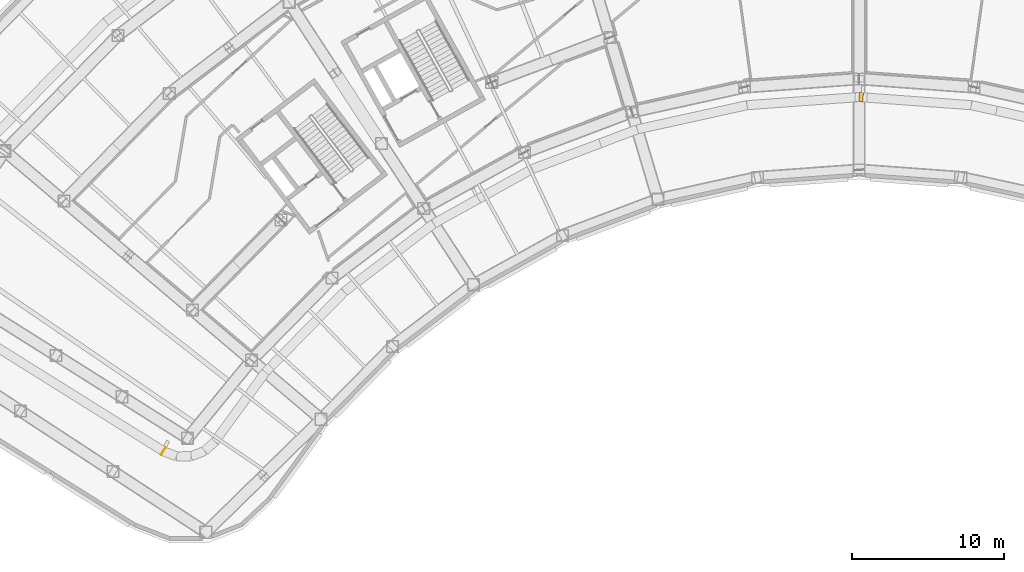
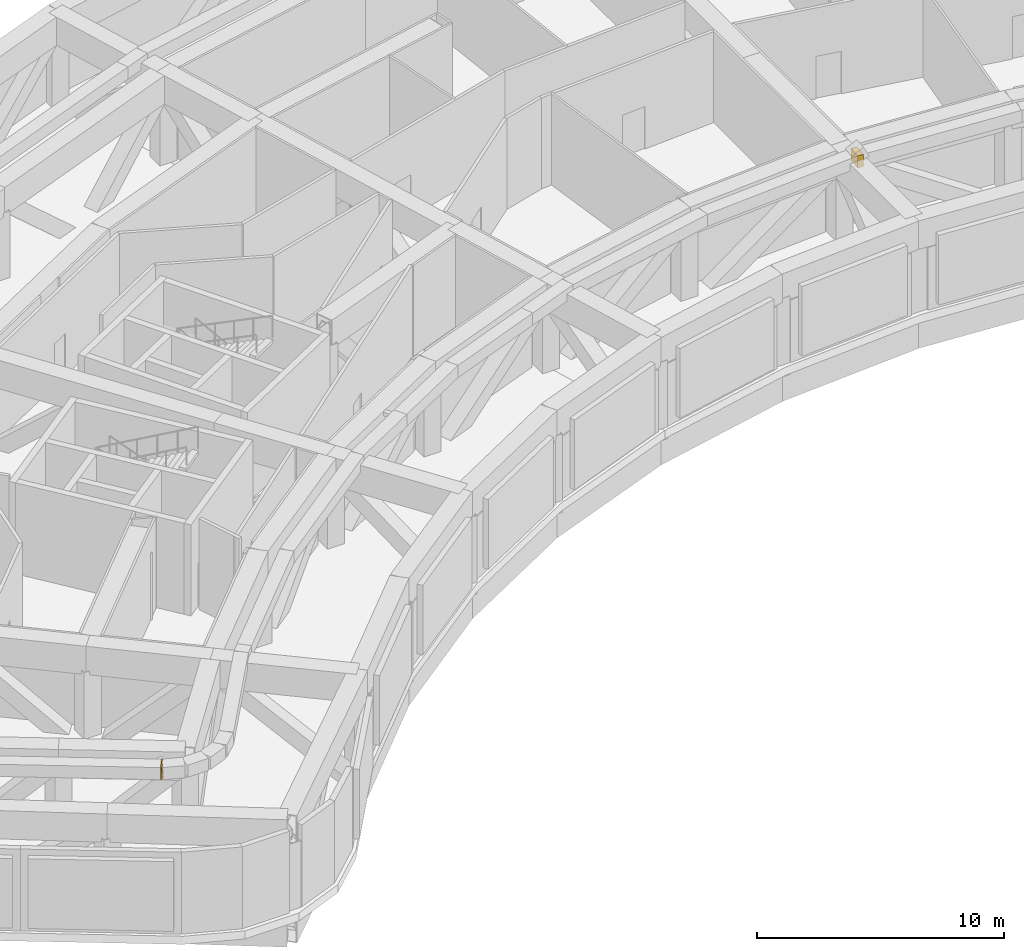
# One storey, part 30 of 30: 2 coverings.
"""IFC4 building model written with IfcOpenShell, lengths in metres."""

import ifcopenshell
import ifcopenshell.guid

model = None  # the IFC model being written
_history = None  # IfcOwnerHistory: only IFC2X3 demands one
_inside = {}  # id of a spatial element -> (the spatial element, [elements in it])
_under = {}  # id of a project, library or spatial element -> (it, [spatial elements below it])
_declared = {}  # id of a project -> (the project, [libraries it declares])
_typed = {}  # id of a type object -> (the type object, [elements of that type])
_made_of = {}  # id of a material, layer set ... -> (it, [elements and type objects made of it])


def new_model(schema):
    """Start an empty IFC model of exactly this schema.

    Asked for "IFC4X3", IfcOpenShell would pick the latest addendum, in which some entities
    have other attributes; the version numbers below select the first issue.
    IFC2X3 requires an IfcOwnerHistory on every rooted entity: one is made here for all.
    """
    global model, _history
    if schema == "IFC4X3":
        model = ifcopenshell.file(schema_version=(4, 3, 0, 0))
    else:
        model = ifcopenshell.file(schema=schema)
    _inside.clear()
    _under.clear()
    _declared.clear()
    _typed.clear()
    _made_of.clear()
    _history = None
    if model.schema == "IFC2X3":
        org = make("IfcOrganization", Name="unknown")
        user = make(
            "IfcPersonAndOrganization",
            ThePerson=make("IfcPerson", FamilyName="unknown"),
            TheOrganization=org,
        )
        app = make(
            "IfcApplication",
            ApplicationDeveloper=org,
            Version="unknown",
            ApplicationFullName="unknown",
            ApplicationIdentifier="unknown",
        )
        _history = make(
            "IfcOwnerHistory",
            OwningUser=user,
            OwningApplication=app,
            ChangeAction="ADDED",
            CreationDate=0,
        )
    return model


def make(cls, **values):
    """One entity of the class cls with the attributes given. An attribute that is None is left unset."""
    return model.create_entity(
        cls, **{name: value for name, value in values.items() if value is not None}
    )


def rooted(cls, **values):
    """An entity with a GlobalId (a new one), such as an element, a storey or a relation."""
    return make(cls, GlobalId=ifcopenshell.guid.new(), OwnerHistory=_history, **values)


def si_unit(unit_type, name, prefix=None):
    """IfcSIUnit, for example si_unit("LENGTHUNIT", "METRE", prefix="MILLI")."""
    return make("IfcSIUnit", UnitType=unit_type, Prefix=prefix, Name=name)


def assignment(units):
    """IfcUnitAssignment: the units of a project."""
    return None if units is None else make("IfcUnitAssignment", Units=units)


def point(xyz):
    """IfcCartesianPoint."""
    return None if xyz is None else make("IfcCartesianPoint", Coordinates=xyz)


def direction(xyz):
    """IfcDirection."""
    return None if xyz is None else make("IfcDirection", DirectionRatios=xyz)


def frame(location, z_axis=None, x_axis=None):
    """IfcAxis2Placement3D, a coordinate frame: its origin and axes. An axis left out is left unset."""
    return make(
        "IfcAxis2Placement3D",
        Location=point(location),
        Axis=direction(z_axis),
        RefDirection=direction(x_axis),
    )


def frame_2d(location, x_axis=None):
    """IfcAxis2Placement2D, a coordinate frame in the plane: its origin and x axis."""
    return make(
        "IfcAxis2Placement2D", Location=point(location), RefDirection=direction(x_axis)
    )


def origin():
    """The frame at (0, 0, 0) with its axes left unset."""
    return frame((0.0, 0.0, 0.0))


def origin_2d():
    """The frame at (0, 0) in the plane with its x axis left unset."""
    return frame_2d((0.0, 0.0))


def place(relative_to, where):
    """IfcLocalPlacement: puts the frame where relative to a parent placement (None: the world)."""
    return make(
        "IfcLocalPlacement", PlacementRelTo=relative_to, RelativePlacement=where
    )


def context(
    kind, dimensions, precision=None, world=None, true_north=None, identifier=None
):
    """IfcGeometricRepresentationContext, for example the 3D "Model" context."""
    return make(
        "IfcGeometricRepresentationContext",
        ContextIdentifier=identifier,
        ContextType=kind,
        CoordinateSpaceDimension=dimensions,
        Precision=precision,
        WorldCoordinateSystem=world,
        TrueNorth=true_north,
    )


def subcontext(parent, identifier, kind, view, scale=None):
    """IfcGeometricRepresentationSubContext, for example "Body" below "Model"."""
    return make(
        "IfcGeometricRepresentationSubContext",
        ContextIdentifier=identifier,
        ContextType=kind,
        ParentContext=parent,
        TargetScale=scale,
        TargetView=view,
    )


def project(units=None, contexts=None):
    """IfcProject with its units and contexts."""
    return rooted(
        "IfcProject",
        Name="project",
        RepresentationContexts=contexts,
        UnitsInContext=assignment(units),
    )


def spatial(cls, under=None, at=None, **own):
    """A site, building, storey or space (cls), placed at a placement, below another one or the project."""
    s = rooted(cls, ObjectPlacement=at, **own)
    if under is not None:
        _under.setdefault(under.id(), (under, []))[1].append(s)
    return s


def profile(cls, at=None, kind="AREA", **sizes):
    """A parametric profile (cls). Its sizes go by their IFC names, for example OverallWidth=200.0."""
    return make(cls, ProfileType=kind, Position=at, **sizes)


def rectangle(**sizes):
    """IfcRectangleProfileDef."""
    return profile("IfcRectangleProfileDef", **sizes)


def extrude(swept, where, along, depth):
    """IfcExtrudedAreaSolid: the profile swept, set in the frame where, extruded along a direction by depth."""
    return make(
        "IfcExtrudedAreaSolid",
        SweptArea=swept,
        Position=where,
        ExtrudedDirection=direction(along),
        Depth=depth,
    )


def shape(context_of_items, identifier, shape_type, items):
    """IfcShapeRepresentation: the items that make up one representation, for example the "Body"."""
    return make(
        "IfcShapeRepresentation",
        ContextOfItems=context_of_items,
        RepresentationIdentifier=identifier,
        RepresentationType=shape_type,
        Items=items,
    )


def material(Name=None, Category=None):
    """IfcMaterial."""
    return make("IfcMaterial", Name=Name, Category=Category)


def material_profile(
    of_material, cross_section, Name=None, Category=None, Priority=None
):
    """IfcMaterialProfile: a cross section and its material."""
    return make(
        "IfcMaterialProfile",
        Name=Name,
        Material=of_material,
        Profile=cross_section,
        Priority=Priority,
        Category=Category,
    )


def profile_set(profiles, Name=None, composite=None):
    """IfcMaterialProfileSet."""
    return make(
        "IfcMaterialProfileSet",
        Name=Name,
        MaterialProfiles=profiles,
        CompositeProfile=composite,
    )


def made_of(thing, what):
    """Note that an element or type object is made of a material, layer set ...; save() writes the relation."""
    if what is not None:
        _made_of.setdefault(what.id(), (what, []))[1].append(thing)
    return thing


def type_object(cls, material=None, **own):
    """A type object (cls), such as IfcWallType, which elements share."""
    return made_of(rooted(cls, **own), material)


def element(
    cls,
    number,
    at=None,
    inside=None,
    cuts=None,
    type_object=None,
    material=None,
    context=None,
    identifier="Body",
    shape_type=None,
    held_by="IfcProductDefinitionShape",
    body=None,
    shapes=None,
    **own,
):
    """One element of the class cls, such as IfcWall. Its Tag is "e" and its number.

    at: its placement. inside: the storey or other place that contains it. cuts: it is an
    opening in that element (IfcRelVoidsElement). A single representation is given by context,
    identifier, shape_type and body (its items); several are given by shapes. held_by: the class
    of the entity that holds the representations. save() writes the other relations.
    """
    e = rooted(cls, Tag="e%d" % number, ObjectPlacement=at, **own)
    if body is not None:
        shapes = [shape(context, identifier, shape_type, body)]
    if shapes is not None:
        e.Representation = make(held_by, Representations=shapes)
    if inside is not None:
        _inside.setdefault(inside.id(), (inside, []))[1].append(e)
    if cuts is not None:
        rooted(
            "IfcRelVoidsElement", RelatingBuildingElement=cuts, RelatedOpeningElement=e
        )
    if type_object is not None:
        _typed.setdefault(type_object.id(), (type_object, []))[1].append(e)
    return made_of(e, material)


def aggregate(whole, parts):
    """IfcRelAggregates: a whole, such as a stair, and the parts it consists of."""
    return rooted("IfcRelAggregates", RelatingObject=whole, RelatedObjects=parts)


def save(model, path):
    """Write the relations noted so far, then the file.

    IfcRelAggregates (storeys below a building ...), IfcRelContainedInSpatialStructure (elements
    in a storey), IfcRelDefinesByType, IfcRelAssociatesMaterial and IfcRelDeclares: one each for
    every whole, place, type object, material and project.
    """
    for whole, parts in _under.values():
        aggregate(whole, parts)
    for where, things in _inside.values():
        rooted(
            "IfcRelContainedInSpatialStructure",
            RelatedElements=things,
            RelatingStructure=where,
        )
    for kind, things in _typed.values():
        rooted("IfcRelDefinesByType", RelatedObjects=things, RelatingType=kind)
    for what, things in _made_of.values():
        rooted("IfcRelAssociatesMaterial", RelatedObjects=things, RelatingMaterial=what)
    for by, libraries in _declared.values():
        rooted("IfcRelDeclares", RelatingContext=by, RelatedDefinitions=libraries)
    model.write(path)


model = new_model("IFC4")

# Units and contexts
model_context = context("Model", 3, precision=1e-05, world=origin(), true_north=direction((0.0, 1.0)))
body_context = subcontext(model_context, "Body", "Model", "MODEL_VIEW")
ifc_project = project(units=[si_unit("LENGTHUNIT", "METRE"), si_unit("AREAUNIT", "SQUARE_METRE"), si_unit("VOLUMEUNIT", "CUBIC_METRE"), si_unit("PLANEANGLEUNIT", "RADIAN"), si_unit("MASSUNIT", "GRAM", prefix="KILO")], contexts=[model_context])

# Site, building, storey
site_placement = place(None, origin())
site = spatial("IfcSite", under=ifc_project, at=site_placement, CompositionType="ELEMENT")
building_placement = place(site_placement, origin())
building = spatial("IfcBuilding", under=site, at=building_placement, Name="Tuul Gate Civic Tower", CompositionType="ELEMENT")
storey_placement = place(building_placement, frame((0.0, 0.0, 26.699951171875)))
storey = spatial("IfcBuildingStorey", under=building, at=storey_placement, Name="Plant and refuge floor 1", CompositionType="ELEMENT", Elevation=26.699951171875)

# Coverings
ifc_material = material(Name="Terracotta baguette", Category="masonry")
ifc_material_profile = material_profile(ifc_material, rectangle(XDim=0.60009765625, YDim=0.60009765625, at=origin_2d()), Name="Terracotta baguette screen frame")
ifc_profile_set = profile_set([ifc_material_profile], Name="Terracotta baguette")
covering_type = type_object("IfcCoveringType", Name="Terracotta baguette screen frame", PredefinedType="CLADDING", material=ifc_profile_set)
covering_1_placement = place(storey_placement, frame((-45.928955078125, -32.0078125, 4.449951171875), z_axis=(0.848261487435, -0.529577613702, 0.0), x_axis=(0.529577613702, 0.848261487435, 0.0)))
element("IfcCovering", 1, at=covering_1_placement, inside=storey, type_object=covering_type, Name="Baguette 157", PredefinedType="CLADDING", context=body_context, shape_type="SweptSolid", body=[
    extrude(rectangle(XDim=0.60009765625, YDim=0.60009765625, at=origin_2d()), origin(), (0.0, 0.0, 1.0), 0.052001953125),
])
covering_2_placement = place(storey_placement, frame((0.0, -8.660888671875, 4.449951171875), z_axis=(0.997373140926, -0.072434920849, 0.0), x_axis=(0.072434920849, 0.997373140926, 0.0)))
element("IfcCovering", 2, at=covering_2_placement, inside=storey, type_object=covering_type, Name="Baguette 401", PredefinedType="CLADDING", context=body_context, shape_type="SweptSolid", body=[
    extrude(rectangle(XDim=0.60009765625, YDim=0.60009765625, at=origin_2d()), origin(), (0.0, 0.0, 1.0), 0.262939453125),
])

save(model, "model.ifc")
